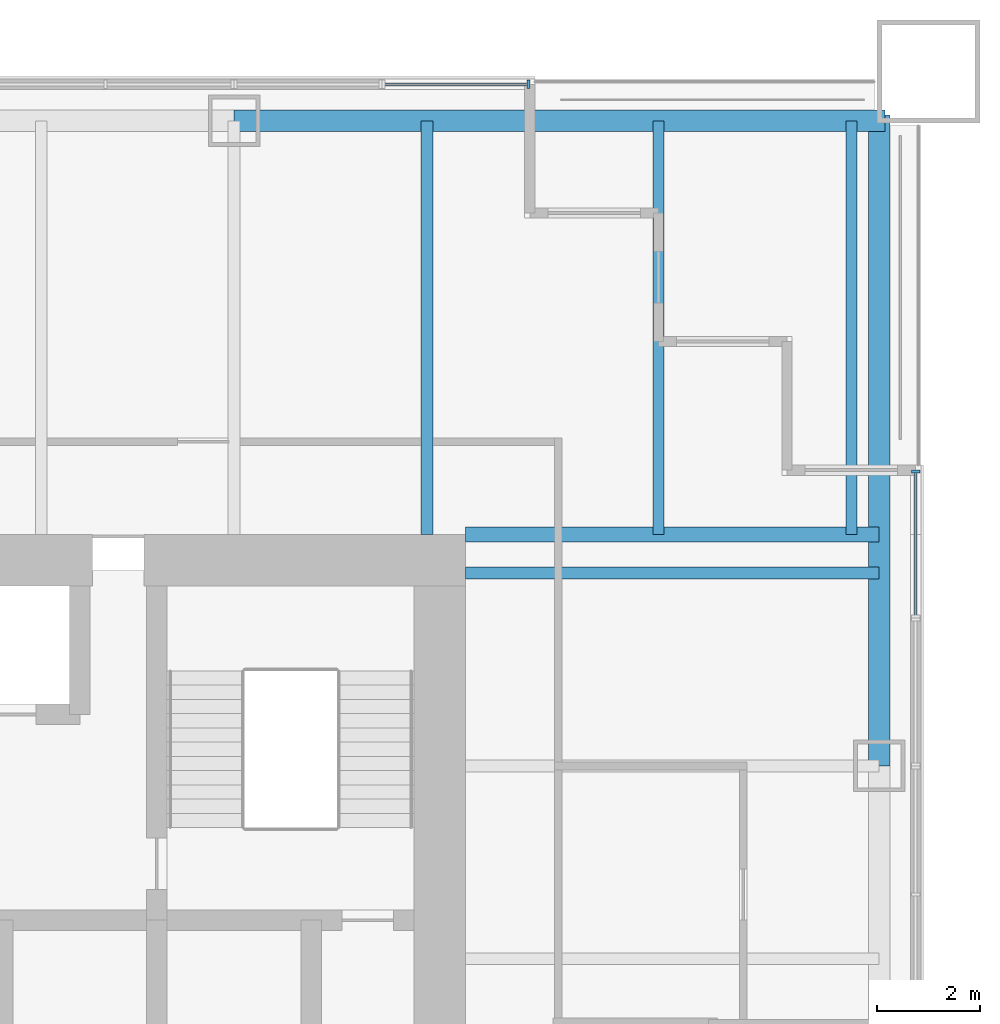
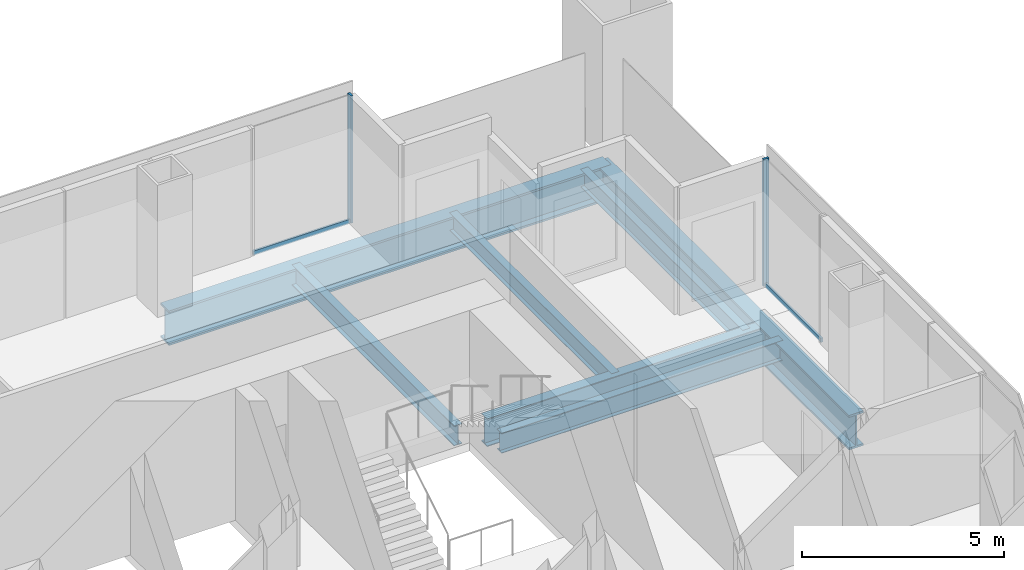
# One storey, part 7 of 14: 7 beams, 4 members, 2 elements without a shape of their own.
"""IFC4 building model written with IfcOpenShell, lengths in metres."""

from ifc_helpers import new_model, si_unit, direction, frame, origin, origin_2d, place, context, subcontext, project, spatial, rectangle, i_section, extrude, material, material_profile, profile_set, type_object, element, aggregate, save


model = new_model("IFC4")

# Units and contexts
model_context = context("Model", 3, precision=1e-05, world=origin(), true_north=direction((0.0, 1.0)))
body_context = subcontext(model_context, "Body", "Model", "MODEL_VIEW")
ifc_project = project(units=[si_unit("LENGTHUNIT", "METRE"), si_unit("AREAUNIT", "SQUARE_METRE"), si_unit("VOLUMEUNIT", "CUBIC_METRE"), si_unit("PLANEANGLEUNIT", "RADIAN"), si_unit("MASSUNIT", "GRAM", prefix="KILO")], contexts=[model_context])

# Site, building, storey
site_placement = place(None, origin())
site = spatial("IfcSite", under=ifc_project, at=site_placement, CompositionType="ELEMENT")
building_placement = place(site_placement, origin())
building = spatial("IfcBuilding", under=site, at=building_placement, Name="Tarangal Relay Tower", CompositionType="ELEMENT")
storey_placement = place(building_placement, frame((0.0, 0.0, 271.89990234375)))
storey = spatial("IfcBuildingStorey", under=building, at=storey_placement, Name="L59", CompositionType="ELEMENT", Elevation=271.89990234375)

# Beams
ifc_material_1 = material(Name="Steel ASTM A992", Category="steel")
ifc_material_profile_1 = material_profile(ifc_material_1, i_section(OverallWidth=0.209228515625, OverallDepth=0.533447265625, WebThickness=0.01025390625, FlangeThickness=0.015625, at=origin_2d()), Name="W21X62")
ifc_profile_set_1 = profile_set([ifc_material_profile_1], Name="Steel ASTM A992")
beam_type_1 = type_object("IfcBeamType", Name="Corner beam W21X62", PredefinedType="JOIST", material=ifc_profile_set_1)
for number, where, z_axis, x_axis, name in (
    (1, (15.75, 12.0, -0.41650390625), (0.0, 1.0, 0.0), (-1.0, 0.0, 0.0), "Corner beam CB12 N L59"),
    (2, (19.5, 12.0, -0.41650390625), (0.0, 1.0, 0.0), (-1.0, 0.0, 0.0), "Corner beam CB12 N L59"),
):
    element("IfcBeam", number, at=place(storey_placement, frame(where, z_axis=z_axis, x_axis=x_axis)), inside=storey, type_object=beam_type_1, Name=name, PredefinedType="JOIST", context=body_context, shape_type="SweptSolid", body=[
        extrude(i_section(OverallWidth=0.209228515625, OverallDepth=0.533447265625, WebThickness=0.01025390625, FlangeThickness=0.015625, at=origin_2d()), origin(), (0.0, 0.0, 1.0), 8.0400390625),
    ])
ifc_material_profile_2 = material_profile(ifc_material_1, i_section(OverallWidth=0.2919921875, OverallDepth=0.8408203125, WebThickness=0.0146484375, FlangeThickness=0.021728515625, at=origin_2d()), Name="W33X130")
ifc_profile_set_2 = profile_set([ifc_material_profile_2], Name="Steel ASTM A992")
beam_type_2 = type_object("IfcBeamType", Name="Corner girder W33X130", PredefinedType="BEAM", material=ifc_profile_set_2)
beam_placement = place(storey_placement, frame((12.0, 12.0, -0.5703125), z_axis=(1.0, 0.0, 0.0), x_axis=(0.0, 1.0, 0.0)))
element("IfcBeam", 3, at=beam_placement, inside=storey, type_object=beam_type_2, Name="Corner girder CG5 N L59", PredefinedType="BEAM", context=body_context, shape_type="SweptSolid", body=[
    extrude(i_section(OverallWidth=0.2919921875, OverallDepth=0.8408203125, WebThickness=0.0146484375, FlangeThickness=0.021728515625, at=origin_2d()), origin(), (0.0, 0.0, 1.0), 8.0400390625),
])
ifc_material_profile_3 = material_profile(ifc_material_1, i_section(OverallWidth=0.41162109375, OverallDepth=1.049072265625, WebThickness=0.033935546875, FlangeThickness=0.059814453125, at=origin_2d()), Name="W40X431")
ifc_profile_set_3 = profile_set([ifc_material_profile_3], Name="Steel ASTM A992")
beam_type_3 = type_object("IfcBeamType", Name="Edge girder W40X431", PredefinedType="SPANDREL", material=ifc_profile_set_3)
for number, where, z_axis, x_axis, name in (
    (4, (7.5, 20.0400390625, -0.67431640625), (1.0, 0.0, 0.0), (0.0, 1.0, 0.0), "Edge girder EG1 N L59"),
    (5, (20.0400390625, 20.14990234375, -0.67431640625), (0.0, -1.0, 0.0), (1.0, 0.0, 0.0), "Edge girder EG1 E L59"),
):
    element("IfcBeam", number, at=place(storey_placement, frame(where, z_axis=z_axis, x_axis=x_axis)), inside=storey, type_object=beam_type_3, Name=name, PredefinedType="SPANDREL", context=body_context, shape_type="SweptSolid", body=[
        extrude(i_section(OverallWidth=0.41162109375, OverallDepth=1.049072265625, WebThickness=0.033935546875, FlangeThickness=0.059814453125, at=origin_2d()), origin(), (0.0, 0.0, 1.0), 12.64990234375),
    ])
ifc_material_profile_4 = material_profile(ifc_material_1, i_section(OverallWidth=0.228271484375, OverallDepth=0.607177734375, WebThickness=0.01123046875, FlangeThickness=0.017333984375, at=origin_2d()), Name="W24X76")
ifc_profile_set_4 = profile_set([ifc_material_profile_4], Name="Steel ASTM A992")
beam_type_4 = type_object("IfcBeamType", Name="Floor beam W24X76", PredefinedType="BEAM", material=ifc_profile_set_4)
for number, where, z_axis, x_axis, name in (
    (6, (11.25, 12.0, -0.453369140625), (0.0, 1.0, 0.0), (-1.0, 0.0, 0.0), "Floor beam RB5 N L59"),
    (7, (12.0, 11.25, -0.453369140625), (1.0, 0.0, 0.0), (0.0, 1.0, 0.0), "Floor beam RB5 E L59"),
):
    element("IfcBeam", number, at=place(storey_placement, frame(where, z_axis=z_axis, x_axis=x_axis)), inside=storey, type_object=beam_type_4, Name=name, PredefinedType="BEAM", context=body_context, shape_type="SweptSolid", body=[
        extrude(i_section(OverallWidth=0.228271484375, OverallDepth=0.607177734375, WebThickness=0.01123046875, FlangeThickness=0.017333984375, at=origin_2d()), origin(), (0.0, 0.0, 1.0), 8.0400390625),
    ])

# Curtain wall, member
ifc_material_2 = material(Name="Unitised curtain wall, dark glass and black aluminium", Category="aluminium")
curtain_wall_type = type_object("IfcCurtainWallType", Name="Curtain wall CW-B", PredefinedType="USERDEFINED", material=ifc_material_2)
curtain_wall_1_placement = place(storey_placement, origin())
curtain_wall_1 = element("IfcCurtainWall", 8, at=curtain_wall_1_placement, inside=storey, type_object=curtain_wall_type, Name="Curtain wall CW-B N facade L59", ObjectType="UNITISED CURTAIN WALL", PredefinedType="USERDEFINED")
ifc_material_3 = material(Name="Black anodised aluminium mullion", Category="aluminium")
ifc_material_profile_5 = material_profile(ifc_material_3, rectangle(XDim=0.159912109375, YDim=0.06005859375, at=origin_2d()), Name="CW-BM 60X160")
ifc_profile_set_5 = profile_set([ifc_material_profile_5], Name="Black anodised aluminium mullion")
member_type_1 = type_object("IfcMemberType", Name="Mullion CW-B 60 x 160", PredefinedType="MULLION", material=ifc_profile_set_5)
member_1_placement = place(storey_placement, frame((13.219970703125, 20.75, 0.0), z_axis=(0.0, 0.0, 1.0), x_axis=(0.0, 1.0, 0.0)))
member_1 = element("IfcMember", 9, at=member_1_placement, type_object=member_type_1, Name="CW-B mullion 2", PredefinedType="MULLION", context=body_context, shape_type="SweptSolid", body=[
    extrude(rectangle(XDim=0.159912109375, YDim=0.06005859375, at=origin_2d()), origin(), (0.0, 0.0, 1.0), 3.85009765625),
])

curtain_wall_2_placement = place(storey_placement, origin())
curtain_wall_2 = element("IfcCurtainWall", 10, at=curtain_wall_2_placement, inside=storey, type_object=curtain_wall_type, Name="Curtain wall CW-B E facade L59", ObjectType="UNITISED CURTAIN WALL", PredefinedType="USERDEFINED")
member_2_placement = place(storey_placement, frame((20.75, 13.219970703125, 0.0), z_axis=(0.0, 0.0, 1.0), x_axis=(1.0, 0.0, 0.0)))
member_2 = element("IfcMember", 11, at=member_2_placement, type_object=member_type_1, Name="CW-B mullion 1", PredefinedType="MULLION", context=body_context, shape_type="SweptSolid", body=[
    extrude(rectangle(XDim=0.159912109375, YDim=0.06005859375, at=origin_2d()), origin(), (0.0, 0.0, 1.0), 3.85009765625),
])

# Member
ifc_material_4 = material(Name="Black anodised aluminium transom", Category="aluminium")
ifc_material_profile_6 = material_profile(ifc_material_4, rectangle(XDim=0.06005859375, YDim=0.1298828125, at=origin_2d()), Name="CW-BT 60X130")
ifc_profile_set_6 = profile_set([ifc_material_profile_6], Name="Black anodised aluminium transom")
member_type_2 = type_object("IfcMemberType", Name="Transom CW-B 60 x 130", PredefinedType="USERDEFINED", material=ifc_profile_set_6)
member_3_placement = place(storey_placement, frame((10.43505859375, 20.75, 0.030029296875), z_axis=(1.0, 0.0, 0.0), x_axis=(0.0, 1.0, 0.0)))
member_3 = element("IfcMember", 12, at=member_3_placement, type_object=member_type_2, Name="CW-B transom 1.1", ObjectType="TRANSOM", PredefinedType="USERDEFINED", context=body_context, shape_type="SweptSolid", body=[
    extrude(rectangle(XDim=0.06005859375, YDim=0.1298828125, at=origin_2d()), origin(), (0.0, 0.0, 1.0), 2.7548828125),
])

aggregate(curtain_wall_1, [member_1, member_3])

member_4_placement = place(storey_placement, frame((20.75, 13.18994140625, 0.030029296875), z_axis=(0.0, -1.0, 0.0), x_axis=(1.0, 0.0, 0.0)))
member_4 = element("IfcMember", 13, at=member_4_placement, type_object=member_type_2, Name="CW-B transom 1.1", ObjectType="TRANSOM", PredefinedType="USERDEFINED", context=body_context, shape_type="SweptSolid", body=[
    extrude(rectangle(XDim=0.06005859375, YDim=0.1298828125, at=origin_2d()), origin(), (0.0, 0.0, 1.0), 2.7548828125),
])

aggregate(curtain_wall_2, [member_2, member_4])

save(model, "model.ifc")
